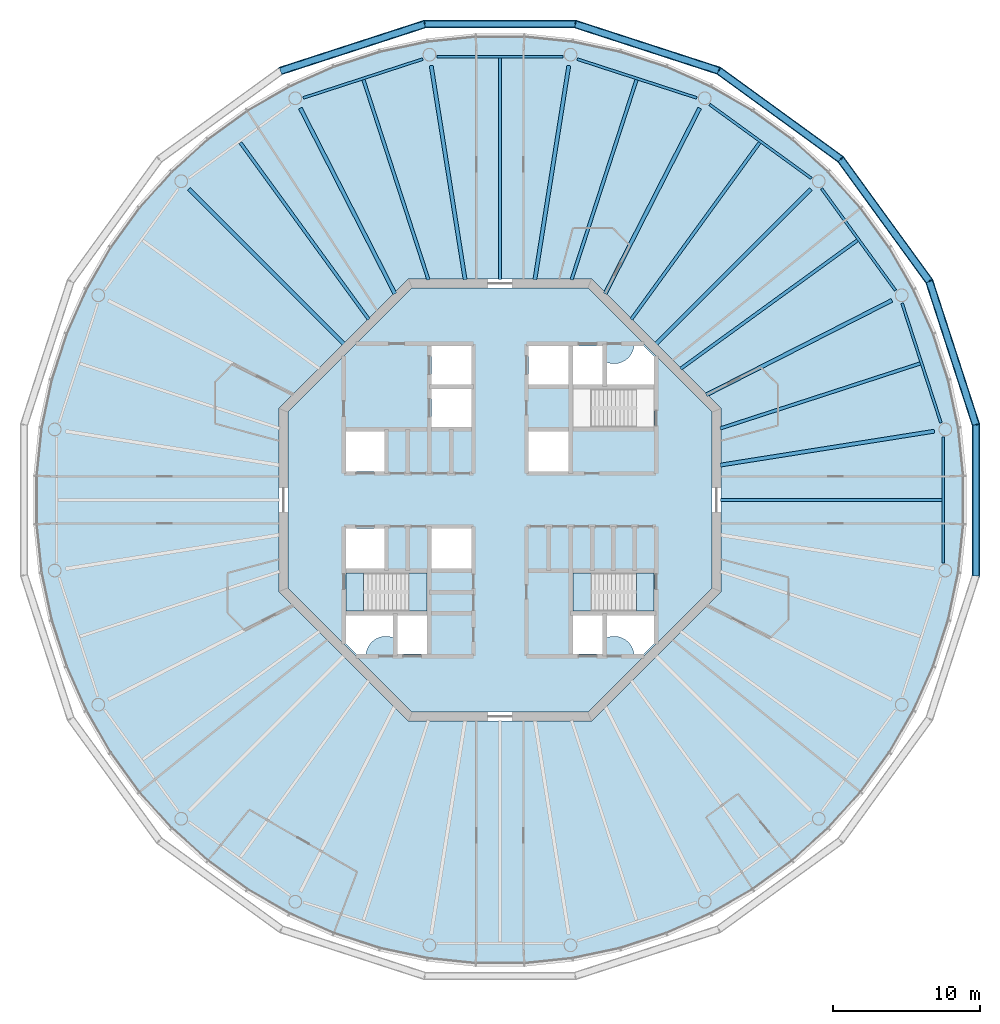
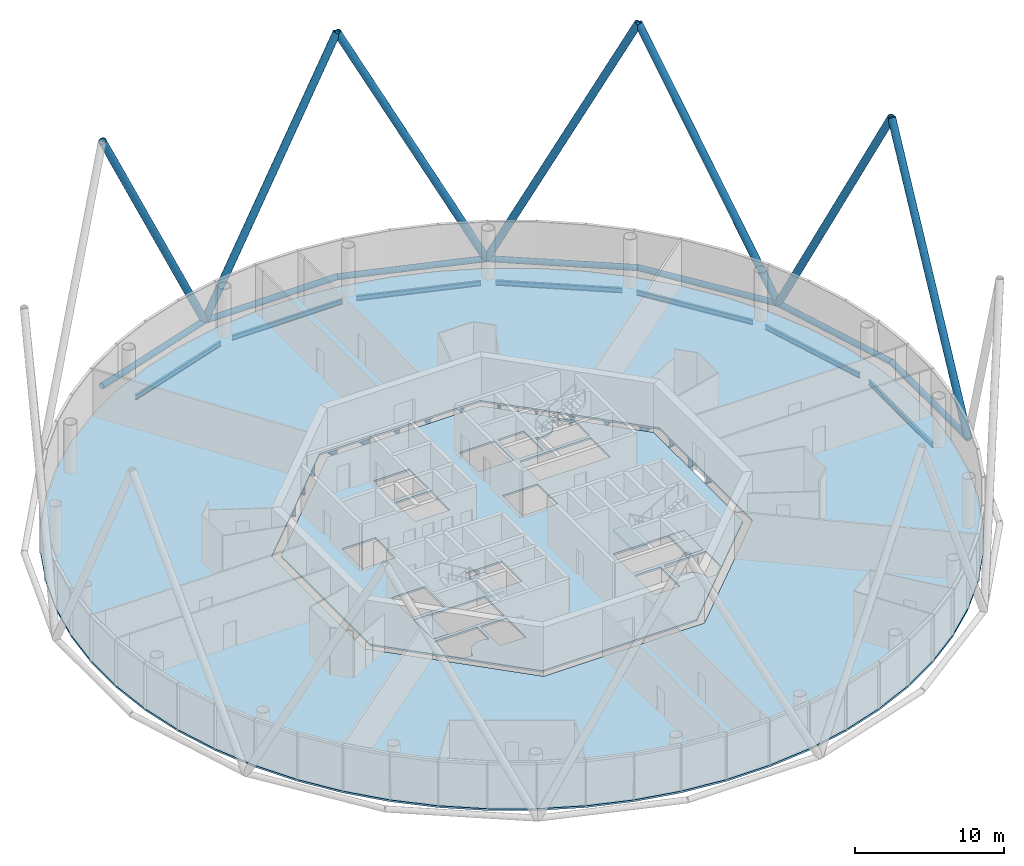
# One storey, part 2 of 13: 23 beams, 14 members, 6 slabs, 2 elements without a shape of their own.
"""IFC4 building model written with IfcOpenShell, lengths in metres."""

from ifc_helpers import new_model, si_unit, direction, frame, origin, origin_2d, place, context, subcontext, project, spatial, polyline, circle, hollow_circle, i_section, outline, extrude, material, layer, layer_set, material_profile, profile_set, type_object, element, aggregate, save


model = new_model("IFC4")

# Units and contexts
model_context = context("Model", 3, precision=1e-05, world=origin(), true_north=direction((0.0, 1.0)))
body_context = subcontext(model_context, "Body", "Model", "MODEL_VIEW")
ifc_project = project(units=[si_unit("LENGTHUNIT", "METRE"), si_unit("AREAUNIT", "SQUARE_METRE"), si_unit("VOLUMEUNIT", "CUBIC_METRE"), si_unit("PLANEANGLEUNIT", "RADIAN"), si_unit("MASSUNIT", "GRAM", prefix="KILO")], contexts=[model_context])

# Site, building, storey
site_placement = place(None, origin())
site = spatial("IfcSite", under=ifc_project, at=site_placement, CompositionType="ELEMENT")
building_placement = place(site_placement, origin())
building = spatial("IfcBuilding", under=site, at=building_placement, Name="Entoto Ring Tower", CompositionType="ELEMENT")
storey_placement = place(building_placement, frame((0.0, 0.0, 336.0)))
storey = spatial("IfcBuildingStorey", under=building, at=storey_placement, Name="L77", CompositionType="ELEMENT", Elevation=336.0)

# Members
ifc_material_1 = material(Name="Steel S355", Category="steel")
ifc_material_profile_1 = material_profile(ifc_material_1, hollow_circle(Radius=0.279541015625, WallThickness=0.031982421875, at=origin_2d()), Name="CHS 559 x 32")
ifc_material_2 = material(Name="Concrete C60/75", Category="concrete")
ifc_material_profile_2 = material_profile(ifc_material_2, circle(Radius=0.24755859375, at=origin_2d()), Name="Concrete C60/75 infill")
ifc_profile_set_1 = profile_set([ifc_material_profile_1, ifc_material_profile_2], Name="Steel S355")
member_type_1 = type_object("IfcMemberType", Name="Diagrid diagonal 559 x 32 concrete-filled tube", PredefinedType="BRACE", material=ifc_profile_set_1)
for number, where, z_axis, x_axis, name in (
    (1, (119.135986328125, 94.845458984375, 0.0), (0.140725857901, -0.433121348428, 0.890282051068), (0.95105896794, 0.309009448885, 0.0), "DG7A module 26 01"),
    (2, (119.135986328125, 94.845458984375, 0.0), (-0.2676922089, 0.368435420028, 0.890278733074), (-0.809008424404, -0.587797047665, 0.0), "DG7A module 26 02"),
    (3, (104.845458984375, 109.135986328125, 0.0), (0.368435420028, -0.2676922089, 0.890278733074), (0.587797047665, 0.809008424404, 0.0), "DG7A module 26 03"),
    (4, (104.845458984375, 109.135986328125, 0.0), (-0.433121348428, 0.140725857901, 0.890282051068), (-0.309009448885, -0.95105896794, 0.0), "DG7A module 26 04"),
    (5, (84.884521484375, 112.29736328125, 0.0), (0.455419317756, 0.0, 0.890277060816), (0.0, 1.0, 0.0), "DG7A module 26 05"),
    (6, (84.884521484375, 112.29736328125, 0.0), (-0.433121348428, -0.140725857901, 0.890282051068), (0.309009448885, -0.95105896794, 0.0), "DG7A module 26 06"),
    (7, (122.29736328125, 74.884521484375, 0.0), (0.0, 0.455419317756, 0.890277060816), (-1.0, 0.0, 0.0), "DG7A module 26 20"),
):
    element("IfcMember", number, at=place(storey_placement, frame(where, z_axis=z_axis, x_axis=x_axis)), inside=storey, type_object=member_type_1, Name=name, PredefinedType="BRACE", context=body_context, shape_type="SweptSolid", body=[
        extrude(hollow_circle(Radius=0.279541015625, WallThickness=0.031982421875, at=origin_2d()), origin(), (0.0, 0.0, 1.0), 22.46484375),
    ])
ifc_material_3 = material(Name="Steel S355", Category="steel")
ifc_material_profile_3 = material_profile(ifc_material_3, hollow_circle(Radius=0.228515625, WallThickness=0.02001953125, at=origin_2d()), Name="CHS 457 x 20")
ifc_material_4 = material(Name="Concrete C60/75", Category="concrete")
ifc_material_profile_4 = material_profile(ifc_material_4, circle(Radius=0.20849609375, at=origin_2d()), Name="Concrete C60/75 infill")
ifc_profile_set_2 = profile_set([ifc_material_profile_3, ifc_material_profile_4], Name="Steel S355")
member_type_2 = type_object("IfcMemberType", Name="Diagrid ring beam 457 x 20", PredefinedType="CHORD", material=ifc_profile_set_2)
for number, where, z_axis, x_axis, name in (
    (8, (119.1689453125, 94.800048828125, 0.0), (-0.587781465034, 0.809019745966, 0.0), (-0.809019745966, -0.587781465034, 0.0), "DR3 ring 25 01"),
    (9, (113.16796875, 103.08935546875, 0.0), (-0.809019745966, 0.587781465034, 0.0), (-0.587781465034, -0.809019745966, 0.0), "DR3 ring 25 02"),
):
    element("IfcMember", number, at=place(storey_placement, frame(where, z_axis=z_axis, x_axis=x_axis)), inside=storey, type_object=member_type_2, Name=name, PredefinedType="CHORD", context=body_context, shape_type="SweptSolid", body=[
        extrude(hollow_circle(Radius=0.228515625, WallThickness=0.02001953125, at=origin_2d()), origin(), (0.0, 0.0, 1.0), 10.34326171875),
    ])
member_1_placement = place(storey_placement, frame((104.89892578125, 109.11865234375, 0.0), z_axis=(-0.951061125206, 0.309002809244, 0.0), x_axis=(-0.309002809244, -0.951061125206, 0.0)))
element("IfcMember", 10, at=member_1_placement, inside=storey, type_object=member_type_2, Name="DR3 ring 25 03", PredefinedType="CHORD", context=body_context, shape_type="SweptSolid", body=[
    extrude(hollow_circle(Radius=0.228515625, WallThickness=0.02001953125, at=origin_2d()), origin(), (0.0, 0.0, 1.0), 10.343017578125),
])
member_2_placement = place(storey_placement, frame((95.171630859375, 112.29736328125, 0.0), z_axis=(-1.0, 0.0, 0.0), x_axis=(0.0, -1.0, 0.0)))
element("IfcMember", 11, at=member_2_placement, inside=storey, type_object=member_type_2, Name="DR3 ring 25 04", PredefinedType="CHORD", context=body_context, shape_type="SweptSolid", body=[
    extrude(hollow_circle(Radius=0.228515625, WallThickness=0.02001953125, at=origin_2d()), origin(), (0.0, 0.0, 1.0), 10.34326171875),
])
member_3_placement = place(storey_placement, frame((84.93798828125, 112.314697265625, 0.0), z_axis=(-0.951061125206, -0.309002809244, 0.0), x_axis=(0.309002809244, -0.951061125206, 0.0)))
element("IfcMember", 12, at=member_3_placement, inside=storey, type_object=member_type_2, Name="DR3 ring 25 05", PredefinedType="CHORD", context=body_context, shape_type="SweptSolid", body=[
    extrude(hollow_circle(Radius=0.228515625, WallThickness=0.02001953125, at=origin_2d()), origin(), (0.0, 0.0, 1.0), 10.343017578125),
])
member_4_placement = place(storey_placement, frame((122.29736328125, 74.828369140625, 0.0), z_axis=(0.0, 1.0, 0.0), x_axis=(-1.0, 0.0, 0.0)))
element("IfcMember", 13, at=member_4_placement, inside=storey, type_object=member_type_2, Name="DR3 ring 25 19", PredefinedType="CHORD", context=body_context, shape_type="SweptSolid", body=[
    extrude(hollow_circle(Radius=0.228515625, WallThickness=0.02001953125, at=origin_2d()), origin(), (0.0, 0.0, 1.0), 10.34326171875),
])
member_5_placement = place(storey_placement, frame((122.314697265625, 85.06201171875, 0.0), z_axis=(-0.309002809244, 0.951061125206, 0.0), x_axis=(-0.951061125206, -0.309002809244, 0.0)))
element("IfcMember", 14, at=member_5_placement, inside=storey, type_object=member_type_2, Name="DR3 ring 25 20", PredefinedType="CHORD", context=body_context, shape_type="SweptSolid", body=[
    extrude(hollow_circle(Radius=0.228515625, WallThickness=0.02001953125, at=origin_2d()), origin(), (0.0, 0.0, 1.0), 10.343017578125),
])

# Beams
ifc_material_5 = material(Name="Steel S355", Category="steel")
ifc_material_profile_5 = material_profile(ifc_material_5, i_section(OverallWidth=0.179931640625, OverallDepth=0.39990234375, WebThickness=0.008544921875, FlangeThickness=0.013427734375, FilletRadius=0.02099609375, at=origin_2d()), Name="IPE 400")
ifc_profile_set_3 = profile_set([ifc_material_profile_5], Name="Steel S355")
beam_type_1 = type_object("IfcBeamType", Name="Edge beam IPE 400", PredefinedType="SPANDREL", material=ifc_profile_set_3)
beam_1_placement = place(storey_placement, frame((119.925537109375, 85.23681640625, -0.35009765625), z_axis=(-0.309000682164, 0.951061816299, 0.0), x_axis=(-0.951061816299, -0.309000682164, 0.0)))
element("IfcBeam", 15, at=beam_1_placement, inside=storey, type_object=beam_type_1, Name="Edge beam L77 01", PredefinedType="SPANDREL", context=body_context, shape_type="SweptSolid", body=[
    extrude(i_section(OverallWidth=0.179931640625, OverallDepth=0.39990234375, WebThickness=0.008544921875, FlangeThickness=0.013427734375, FilletRadius=0.02099609375, at=origin_2d()), origin(), (0.0, 0.0, 1.0), 8.533935546875),
])
for number, where, z_axis, x_axis, name in (
    (16, (116.842529296875, 94.22802734375, -0.35009765625), (-0.587768472014, 0.809029185695, 0.0), (-0.809029185695, -0.587768472014, 0.0), "Edge beam L77 02"),
    (17, (111.132080078125, 101.82666015625, -0.35009765625), (-0.809029185695, 0.587768472014, 0.0), (-0.587768472014, -0.809029185695, 0.0), "Edge beam L77 03"),
):
    element("IfcBeam", number, at=place(storey_placement, frame(where, z_axis=z_axis, x_axis=x_axis)), inside=storey, type_object=beam_type_1, Name=name, PredefinedType="SPANDREL", context=body_context, shape_type="SweptSolid", body=[
        extrude(i_section(OverallWidth=0.179931640625, OverallDepth=0.39990234375, WebThickness=0.008544921875, FlangeThickness=0.013427734375, FilletRadius=0.02099609375, at=origin_2d()), origin(), (0.0, 0.0, 1.0), 8.53369140625),
    ])
beam_2_placement = place(storey_placement, frame((103.35302734375, 107.28857421875, -0.35009765625), z_axis=(-0.951061816299, 0.309000682164, 0.0), x_axis=(-0.309000682164, -0.951061816299, 0.0)))
element("IfcBeam", 18, at=beam_2_placement, inside=storey, type_object=beam_type_1, Name="Edge beam L77 04", PredefinedType="SPANDREL", context=body_context, shape_type="SweptSolid", body=[
    extrude(i_section(OverallWidth=0.179931640625, OverallDepth=0.39990234375, WebThickness=0.008544921875, FlangeThickness=0.013427734375, FilletRadius=0.02099609375, at=origin_2d()), origin(), (0.0, 0.0, 1.0), 8.533935546875),
])
beam_3_placement = place(storey_placement, frame((94.266845703125, 110.079345703125, -0.35009765625), z_axis=(-1.0, 0.0, 0.0), x_axis=(0.0, -1.0, 0.0)))
element("IfcBeam", 19, at=beam_3_placement, inside=storey, type_object=beam_type_1, Name="Edge beam L77 05", PredefinedType="SPANDREL", context=body_context, shape_type="SweptSolid", body=[
    extrude(i_section(OverallWidth=0.179931640625, OverallDepth=0.39990234375, WebThickness=0.008544921875, FlangeThickness=0.013427734375, FilletRadius=0.02099609375, at=origin_2d()), origin(), (0.0, 0.0, 1.0), 8.53369140625),
])
beam_4_placement = place(storey_placement, frame((84.76318359375, 109.925537109375, -0.35009765625), z_axis=(-0.951061816299, -0.309000682164, 0.0), x_axis=(0.309000682164, -0.951061816299, 0.0)))
element("IfcBeam", 20, at=beam_4_placement, inside=storey, type_object=beam_type_1, Name="Edge beam L77 06", PredefinedType="SPANDREL", context=body_context, shape_type="SweptSolid", body=[
    extrude(i_section(OverallWidth=0.179931640625, OverallDepth=0.39990234375, WebThickness=0.008544921875, FlangeThickness=0.013427734375, FilletRadius=0.02099609375, at=origin_2d()), origin(), (0.0, 0.0, 1.0), 8.533935546875),
])
beam_5_placement = place(storey_placement, frame((120.079345703125, 75.733154296875, -0.35009765625), z_axis=(0.0, 1.0, 0.0), x_axis=(-1.0, 0.0, 0.0)))
element("IfcBeam", 21, at=beam_5_placement, inside=storey, type_object=beam_type_1, Name="Edge beam L77 20", PredefinedType="SPANDREL", context=body_context, shape_type="SweptSolid", body=[
    extrude(i_section(OverallWidth=0.179931640625, OverallDepth=0.39990234375, WebThickness=0.008544921875, FlangeThickness=0.013427734375, FilletRadius=0.02099609375, at=origin_2d()), origin(), (0.0, 0.0, 1.0), 8.53369140625),
])
ifc_material_6 = material(Name="Steel S355", Category="steel")
ifc_material_profile_6 = material_profile(ifc_material_6, i_section(OverallWidth=0.262939453125, OverallDepth=0.7529296875, WebThickness=0.011474609375, FlangeThickness=0.01708984375, FilletRadius=0.01708984375, at=origin_2d()), Name="IPE 750 x 137")
ifc_profile_set_4 = profile_set([ifc_material_profile_6], Name="Steel S355")
beam_type_2 = type_object("IfcBeamType", Name="Primary floor beam IPE 750 x 137", PredefinedType="BEAM", material=ifc_profile_set_4)
beam_6_placement = place(storey_placement, frame((104.959716796875, 82.369384765625, -0.526611328125), z_axis=(0.987687460174, 0.156440023699, 0.0), x_axis=(-0.156440023699, 0.987687460174, 0.0)))
element("IfcBeam", 22, at=beam_6_placement, inside=storey, type_object=beam_type_2, Name="Primary L77 R01", PredefinedType="BEAM", context=body_context, shape_type="SweptSolid", body=[
    extrude(i_section(OverallWidth=0.262939453125, OverallDepth=0.7529296875, WebThickness=0.011474609375, FlangeThickness=0.01708984375, FilletRadius=0.01708984375, at=origin_2d()), origin(), (0.0, 0.0, 1.0), 14.7041015625),
])
beam_7_placement = place(storey_placement, frame((103.9970703125, 87.1318359375, -0.526611328125), z_axis=(0.891003656616, 0.453996127623, 0.0), x_axis=(-0.453996127623, 0.891003656616, 0.0)))
element("IfcBeam", 23, at=beam_7_placement, inside=storey, type_object=beam_type_2, Name="Primary L77 R02", PredefinedType="BEAM", context=body_context, shape_type="SweptSolid", body=[
    extrude(i_section(OverallWidth=0.262939453125, OverallDepth=0.7529296875, WebThickness=0.011474609375, FlangeThickness=0.01708984375, FilletRadius=0.01708984375, at=origin_2d()), origin(), (0.0, 0.0, 1.0), 14.140869140625),
])
beam_8_placement = place(storey_placement, frame((100.592529296875, 90.592529296875, -0.526611328125), z_axis=(0.707106781187, 0.707106781187, 0.0), x_axis=(-0.707106781187, 0.707106781187, 0.0)))
element("IfcBeam", 24, at=beam_8_placement, inside=storey, type_object=beam_type_2, Name="Primary L77 R03", PredefinedType="BEAM", context=body_context, shape_type="SweptSolid", body=[
    extrude(i_section(OverallWidth=0.262939453125, OverallDepth=0.7529296875, WebThickness=0.011474609375, FlangeThickness=0.01708984375, FilletRadius=0.01708984375, at=origin_2d()), origin(), (0.0, 0.0, 1.0), 14.869873046875),
])
beam_9_placement = place(storey_placement, frame((97.1318359375, 93.9970703125, -0.526611328125), z_axis=(0.453996127623, 0.891003656616, 0.0), x_axis=(-0.891003656616, 0.453996127623, 0.0)))
element("IfcBeam", 25, at=beam_9_placement, inside=storey, type_object=beam_type_2, Name="Primary L77 R04", PredefinedType="BEAM", context=body_context, shape_type="SweptSolid", body=[
    extrude(i_section(OverallWidth=0.262939453125, OverallDepth=0.7529296875, WebThickness=0.011474609375, FlangeThickness=0.01708984375, FilletRadius=0.01708984375, at=origin_2d()), origin(), (0.0, 0.0, 1.0), 14.140869140625),
])
for number, where, z_axis, x_axis, name in (
    (26, (92.369384765625, 94.959716796875, -0.526611328125), (0.156440023699, 0.987687460174, 0.0), (-0.987687460174, 0.156440023699, 0.0), "Primary L77 R05"),
    (27, (87.630615234375, 94.959716796875, -0.526611328125), (-0.156440023699, 0.987687460174, 0.0), (-0.987687460174, -0.156440023699, 0.0), "Primary L77 R06"),
):
    element("IfcBeam", number, at=place(storey_placement, frame(where, z_axis=z_axis, x_axis=x_axis)), inside=storey, type_object=beam_type_2, Name=name, PredefinedType="BEAM", context=body_context, shape_type="SweptSolid", body=[
        extrude(i_section(OverallWidth=0.262939453125, OverallDepth=0.7529296875, WebThickness=0.011474609375, FlangeThickness=0.01708984375, FilletRadius=0.01708984375, at=origin_2d()), origin(), (0.0, 0.0, 1.0), 14.7041015625),
    ])
beam_10_placement = place(storey_placement, frame((82.8681640625, 93.9970703125, -0.526611328125), z_axis=(-0.453996127623, 0.891003656616, 0.0), x_axis=(-0.891003656616, -0.453996127623, 0.0)))
element("IfcBeam", 28, at=beam_10_placement, inside=storey, type_object=beam_type_2, Name="Primary L77 R07", PredefinedType="BEAM", context=body_context, shape_type="SweptSolid", body=[
    extrude(i_section(OverallWidth=0.262939453125, OverallDepth=0.7529296875, WebThickness=0.011474609375, FlangeThickness=0.01708984375, FilletRadius=0.01708984375, at=origin_2d()), origin(), (0.0, 0.0, 1.0), 14.140869140625),
])
beam_11_placement = place(storey_placement, frame((79.407470703125, 90.592529296875, -0.526611328125), z_axis=(-0.707106781187, 0.707106781187, 0.0), x_axis=(-0.707106781187, -0.707106781187, 0.0)))
element("IfcBeam", 29, at=beam_11_placement, inside=storey, type_object=beam_type_2, Name="Primary L77 R08", PredefinedType="BEAM", context=body_context, shape_type="SweptSolid", body=[
    extrude(i_section(OverallWidth=0.262939453125, OverallDepth=0.7529296875, WebThickness=0.011474609375, FlangeThickness=0.01708984375, FilletRadius=0.01708984375, at=origin_2d()), origin(), (0.0, 0.0, 1.0), 14.869873046875),
])
ifc_material_7 = material(Name="Steel S355", Category="steel")
ifc_material_profile_7 = material_profile(ifc_material_7, i_section(OverallWidth=0.219970703125, OverallDepth=0.60009765625, WebThickness=0.011962890625, FlangeThickness=0.01904296875, FilletRadius=0.02392578125, at=origin_2d()), Name="IPE 600")
ifc_profile_set_5 = profile_set([ifc_material_profile_7], Name="Steel S355")
beam_type_3 = type_object("IfcBeamType", Name="Secondary floor beam IPE 600", PredefinedType="JOIST", material=ifc_profile_set_5)
beam_12_placement = place(storey_placement, frame((104.947021484375, 84.856689453125, -0.449951171875), z_axis=(0.951060839629, 0.309003688205, 0.0), x_axis=(-0.309003688205, 0.951060839629, 0.0)))
element("IfcBeam", 30, at=beam_12_placement, inside=storey, type_object=beam_type_3, Name="Secondary beam L77 01", PredefinedType="JOIST", context=body_context, shape_type="SweptSolid", body=[
    extrude(i_section(OverallWidth=0.219970703125, OverallDepth=0.60009765625, WebThickness=0.011962890625, FlangeThickness=0.01904296875, FilletRadius=0.02392578125, at=origin_2d()), origin(), (0.0, 0.0, 1.0), 14.27294921875),
])
for number, where, z_axis, x_axis, name in (
    (31, (102.25634765625, 88.90478515625, -0.449951171875), (0.809017012151, 0.587785227826, 0.0), (-0.587785227826, 0.809017012151, 0.0), "Secondary beam L77 02"),
    (32, (98.90478515625, 92.25634765625, -0.449951171875), (0.587785227826, 0.809017012151, 0.0), (-0.809017012151, 0.587785227826, 0.0), "Secondary beam L77 03"),
):
    element("IfcBeam", number, at=place(storey_placement, frame(where, z_axis=z_axis, x_axis=x_axis)), inside=storey, type_object=beam_type_3, Name=name, PredefinedType="JOIST", context=body_context, shape_type="SweptSolid", body=[
        extrude(i_section(OverallWidth=0.219970703125, OverallDepth=0.60009765625, WebThickness=0.011962890625, FlangeThickness=0.01904296875, FilletRadius=0.02392578125, at=origin_2d()), origin(), (0.0, 0.0, 1.0), 14.83935546875),
    ])
beam_13_placement = place(storey_placement, frame((94.856689453125, 94.947021484375, -0.449951171875), z_axis=(0.309003688205, 0.951060839629, 0.0), x_axis=(-0.951060839629, 0.309003688205, 0.0)))
element("IfcBeam", 33, at=beam_13_placement, inside=storey, type_object=beam_type_3, Name="Secondary beam L77 04", PredefinedType="JOIST", context=body_context, shape_type="SweptSolid", body=[
    extrude(i_section(OverallWidth=0.219970703125, OverallDepth=0.60009765625, WebThickness=0.011962890625, FlangeThickness=0.01904296875, FilletRadius=0.02392578125, at=origin_2d()), origin(), (0.0, 0.0, 1.0), 14.27294921875),
])
beam_14_placement = place(storey_placement, frame((90.0, 94.97998046875, -0.449951171875), z_axis=(0.0, 1.0, 0.0), x_axis=(-1.0, 0.0, 0.0)))
element("IfcBeam", 34, at=beam_14_placement, inside=storey, type_object=beam_type_3, Name="Secondary beam L77 05", PredefinedType="JOIST", context=body_context, shape_type="SweptSolid", body=[
    extrude(i_section(OverallWidth=0.219970703125, OverallDepth=0.60009765625, WebThickness=0.011962890625, FlangeThickness=0.01904296875, FilletRadius=0.02392578125, at=origin_2d()), origin(), (0.0, 0.0, 1.0), 15.00927734375),
])
beam_15_placement = place(storey_placement, frame((85.143310546875, 94.947021484375, -0.449951171875), z_axis=(-0.309003688205, 0.951060839629, 0.0), x_axis=(-0.951060839629, -0.309003688205, 0.0)))
element("IfcBeam", 35, at=beam_15_placement, inside=storey, type_object=beam_type_3, Name="Secondary beam L77 06", PredefinedType="JOIST", context=body_context, shape_type="SweptSolid", body=[
    extrude(i_section(OverallWidth=0.219970703125, OverallDepth=0.60009765625, WebThickness=0.011962890625, FlangeThickness=0.01904296875, FilletRadius=0.02392578125, at=origin_2d()), origin(), (0.0, 0.0, 1.0), 14.27294921875),
])
beam_16_placement = place(storey_placement, frame((81.09521484375, 92.25634765625, -0.449951171875), z_axis=(-0.587785227826, 0.809017012151, 0.0), x_axis=(-0.809017012151, -0.587785227826, 0.0)))
element("IfcBeam", 36, at=beam_16_placement, inside=storey, type_object=beam_type_3, Name="Secondary beam L77 07", PredefinedType="JOIST", context=body_context, shape_type="SweptSolid", body=[
    extrude(i_section(OverallWidth=0.219970703125, OverallDepth=0.60009765625, WebThickness=0.011962890625, FlangeThickness=0.01904296875, FilletRadius=0.02392578125, at=origin_2d()), origin(), (0.0, 0.0, 1.0), 14.83935546875),
])
beam_17_placement = place(storey_placement, frame((104.97998046875, 80.0, -0.449951171875), z_axis=(1.0, 0.0, 0.0), x_axis=(0.0, 1.0, 0.0)))
element("IfcBeam", 37, at=beam_17_placement, inside=storey, type_object=beam_type_3, Name="Secondary beam L77 20", PredefinedType="JOIST", context=body_context, shape_type="SweptSolid", body=[
    extrude(i_section(OverallWidth=0.219970703125, OverallDepth=0.60009765625, WebThickness=0.011962890625, FlangeThickness=0.01904296875, FilletRadius=0.02392578125, at=origin_2d()), origin(), (0.0, 0.0, 1.0), 15.00927734375),
])

# Slabs
ifc_material_8 = material(Name="Concrete C30/37", Category="concrete")
ifc_layer_1 = layer(ifc_material_8, 0.14990234375)
ifc_layer_set_1 = layer_set([ifc_layer_1], Name="Concrete C30/37")
slab_type_1 = type_object("IfcSlabType", Name="Composite floor slab 150 mm", PredefinedType="FLOOR", material=ifc_layer_set_1)
slab_1_placement = place(storey_placement, frame((0.0, 0.0, -0.14990234375)))
element("IfcSlab", 38, at=slab_1_placement, inside=storey, type_object=slab_type_1, Name="Floor slab L77", PredefinedType="FLOOR", context=body_context, shape_type="SweptSolid", body=[
    extrude(outline(polyline([(121.2109375, 84.943359375), (120.523193359375, 88.1787109375), (119.501220703125, 91.324462890625), (118.15576171875, 94.34619140625), (116.501953125, 97.210693359375), (114.557861328125, 99.886474609375), (112.344482421875, 102.344482421875), (109.886474609375, 104.557861328125), (107.210693359375, 106.501953125), (104.34619140625, 108.15576171875), (101.324462890625, 109.501220703125), (98.1787109375, 110.523193359375), (94.943359375, 111.2109375), (91.65380859375, 111.556640625), (88.34619140625, 111.556640625), (85.056640625, 111.2109375), (81.8212890625, 110.523193359375), (78.675537109375, 109.501220703125), (75.65380859375, 108.15576171875), (72.789306640625, 106.501953125), (70.113525390625, 104.557861328125), (67.655517578125, 102.344482421875), (65.442138671875, 99.886474609375), (63.498046875, 97.210693359375), (61.84423828125, 94.34619140625), (60.498779296875, 91.324462890625), (59.476806640625, 88.1787109375), (58.7890625, 84.943359375), (58.443359375, 81.65380859375), (58.443359375, 78.34619140625), (58.7890625, 75.056640625), (59.476806640625, 71.8212890625), (60.498779296875, 68.675537109375), (61.84423828125, 65.65380859375), (63.498046875, 62.789306640625), (65.442138671875, 60.113525390625), (67.655517578125, 57.655517578125), (70.113525390625, 55.442138671875), (72.789306640625, 53.498046875), (75.65380859375, 51.84423828125), (78.675537109375, 50.498779296875), (81.8212890625, 49.476806640625), (85.056640625, 48.7890625), (88.34619140625, 48.443359375), (91.65380859375, 48.443359375), (94.943359375, 48.7890625), (98.1787109375, 49.476806640625), (101.324462890625, 50.498779296875), (104.34619140625, 51.84423828125), (107.210693359375, 53.498046875), (109.886474609375, 55.442138671875), (112.344482421875, 57.655517578125), (114.557861328125, 60.113525390625), (116.501953125, 62.789306640625), (118.15576171875, 65.65380859375), (119.501220703125, 68.675537109375), (120.523193359375, 71.8212890625), (121.2109375, 75.056640625), (121.556640625, 78.34619140625), (121.556640625, 81.65380859375), (121.2109375, 84.943359375)]), holes=[polyline([(105.0, 73.786865234375), (105.0, 86.213134765625), (96.213134765625, 95.0), (83.786865234375, 95.0), (75.0, 86.213134765625), (75.0, 73.786865234375), (83.786865234375, 65.0), (96.213134765625, 65.0), (105.0, 73.786865234375)])]), origin(), (0.0, 0.0, 1.0), 0.14990234375),
])
ifc_material_9 = material(Name="Concrete C40/50", Category="concrete")
ifc_layer_2 = layer(ifc_material_9, 0.14990234375)
ifc_layer_set_2 = layer_set([ifc_layer_2], Name="Concrete C40/50")
slab_type_2 = type_object("IfcSlabType", Name="Core floor slab 150 mm reinforced concrete C40/50", PredefinedType="FLOOR", material=ifc_layer_set_2)
slab_2_placement = place(storey_placement, frame((0.0, 0.0, -0.14990234375)))
element("IfcSlab", 39, at=slab_2_placement, inside=storey, type_object=slab_type_2, Name="Core floor L77", PredefinedType="FLOOR", context=body_context, shape_type="SweptSolid", body=[
    extrude(outline(polyline([(104.39990234375, 74.035400390625), (104.39990234375, 85.964599609375), (95.964599609375, 94.39990234375), (84.035400390625, 94.39990234375), (75.60009765625, 85.964599609375), (75.60009765625, 74.035400390625), (84.035400390625, 65.60009765625), (95.964599609375, 65.60009765625), (104.39990234375, 74.035400390625)]), holes=[polyline([(100.449951171875, 84.949951171875), (100.449951171875, 87.550048828125), (94.949951171875, 87.550048828125), (94.949951171875, 84.949951171875), (100.449951171875, 84.949951171875)]), polyline([(85.050048828125, 72.449951171875), (85.050048828125, 75.050048828125), (79.550048828125, 75.050048828125), (79.550048828125, 72.449951171875), (85.050048828125, 72.449951171875)]), polyline([(100.449951171875, 72.449951171875), (100.449951171875, 75.050048828125), (94.949951171875, 75.050048828125), (94.949951171875, 72.449951171875), (100.449951171875, 72.449951171875)]), polyline([(94.949951171875, 90.449951171875), (94.949951171875, 87.85009765625), (96.949951171875, 87.85009765625), (96.949951171875, 90.449951171875), (94.949951171875, 90.449951171875)]), polyline([(94.949951171875, 72.14990234375), (94.949951171875, 69.550048828125), (96.949951171875, 69.550048828125), (96.949951171875, 72.14990234375), (94.949951171875, 72.14990234375)]), polyline([(83.050048828125, 72.14990234375), (83.050048828125, 69.550048828125), (85.050048828125, 69.550048828125), (85.050048828125, 72.14990234375), (83.050048828125, 72.14990234375)]), polyline([(79.550048828125, 81.949951171875), (82.14990234375, 81.949951171875), (82.14990234375, 84.64990234375), (79.550048828125, 84.64990234375), (79.550048828125, 81.949951171875)]), polyline([(79.550048828125, 75.35009765625), (82.14990234375, 75.35009765625), (82.14990234375, 78.050048828125), (79.550048828125, 78.050048828125), (79.550048828125, 75.35009765625)]), polyline([(91.949951171875, 87.85009765625), (94.64990234375, 87.85009765625), (94.64990234375, 90.449951171875), (91.949951171875, 90.449951171875), (91.949951171875, 87.85009765625)]), polyline([(91.949951171875, 81.949951171875), (94.64990234375, 81.949951171875), (94.64990234375, 84.64990234375), (91.949951171875, 84.64990234375), (91.949951171875, 81.949951171875)]), polyline([(85.35009765625, 75.35009765625), (88.050048828125, 75.35009765625), (88.050048828125, 78.050048828125), (85.35009765625, 78.050048828125), (85.35009765625, 75.35009765625)]), polyline([(85.35009765625, 84.949951171875), (88.050048828125, 84.949951171875), (88.050048828125, 87.550048828125), (85.35009765625, 87.550048828125), (85.35009765625, 84.949951171875)]), polyline([(85.35009765625, 87.85009765625), (88.050048828125, 87.85009765625), (88.050048828125, 90.449951171875), (85.35009765625, 90.449951171875), (85.35009765625, 87.85009765625)]), polyline([(97.199951171875, 89.368408203125), (97.199951171875, 87.800048828125), (100.5, 87.800048828125), (100.5, 89.723388671875), (99.723388671875, 90.5), (99.09521484375, 90.5), (99.093505859375, 90.4677734375), (99.07421875, 90.336669921875), (99.0419921875, 90.2080078125), (98.997314453125, 90.08349609375), (98.940673828125, 89.963623046875), (98.87255859375, 89.85009765625), (98.793701171875, 89.74365234375), (98.70458984375, 89.6455078125), (98.6064453125, 89.556396484375), (98.5, 89.4775390625), (98.386474609375, 89.409423828125), (98.2666015625, 89.352783203125), (98.141845703125, 89.30810546875), (98.013427734375, 89.27587890625), (97.88232421875, 89.256591796875), (97.75, 89.25), (97.61767578125, 89.256591796875), (97.486572265625, 89.27587890625), (97.358154296875, 89.30810546875), (97.2333984375, 89.352783203125), (97.199951171875, 89.368408203125)]), polyline([(80.276611328125, 69.5), (80.90478515625, 69.5), (80.906494140625, 69.5322265625), (80.92578125, 69.663330078125), (80.9580078125, 69.7919921875), (81.002685546875, 69.91650390625), (81.059326171875, 70.036376953125), (81.12744140625, 70.14990234375), (81.206298828125, 70.25634765625), (81.29541015625, 70.3544921875), (81.3935546875, 70.443603515625), (81.5, 70.5224609375), (81.613525390625, 70.590576171875), (81.7333984375, 70.647216796875), (81.858154296875, 70.69189453125), (81.986572265625, 70.72412109375), (82.11767578125, 70.743408203125), (82.25, 70.75), (82.38232421875, 70.743408203125), (82.513427734375, 70.72412109375), (82.641845703125, 70.69189453125), (82.7666015625, 70.647216796875), (82.800048828125, 70.631591796875), (82.800048828125, 72.199951171875), (79.5, 72.199951171875), (79.5, 70.276611328125), (80.276611328125, 69.5)]), polyline([(99.09521484375, 69.5), (99.723388671875, 69.5), (100.5, 70.276611328125), (100.5, 72.199951171875), (97.199951171875, 72.199951171875), (97.199951171875, 70.631591796875), (97.2333984375, 70.647216796875), (97.358154296875, 70.69189453125), (97.486572265625, 70.72412109375), (97.61767578125, 70.743408203125), (97.75, 70.75), (97.88232421875, 70.743408203125), (98.013427734375, 70.72412109375), (98.141845703125, 70.69189453125), (98.2666015625, 70.647216796875), (98.386474609375, 70.590576171875), (98.5, 70.5224609375), (98.6064453125, 70.443603515625), (98.70458984375, 70.3544921875), (98.793701171875, 70.25634765625), (98.87255859375, 70.14990234375), (98.940673828125, 70.036376953125), (98.997314453125, 69.91650390625), (99.0419921875, 69.7919921875), (99.07421875, 69.663330078125), (99.093505859375, 69.5322265625), (99.09521484375, 69.5)])]), origin(), (0.0, 0.0, 1.0), 0.14990234375),
])

# Stair, slabs
ifc_material_10 = material(Name="Concrete C40/50", Category="concrete")
stair_type = type_object("IfcStairType", Name="Exit stair 1200 mm dog-leg reinforced concrete", PredefinedType="HALF_TURN_STAIR", material=ifc_material_10)
stair_1_placement = place(storey_placement, origin())
stair_1 = element("IfcStair", 40, at=stair_1_placement, inside=storey, type_object=stair_type, Name="Exit stair 2", PredefinedType="HALF_TURN_STAIR")
ifc_material_11 = material(Name="Concrete C40/50", Category="concrete")
ifc_layer_3 = layer(ifc_material_11, 0.199951171875)
ifc_layer_set_3 = layer_set([ifc_layer_3], Name="Concrete C40/50")
slab_type_3 = type_object("IfcSlabType", Name="Stair landing 200 mm reinforced concrete", PredefinedType="LANDING", material=ifc_layer_set_3)
slab_3_placement = place(storey_placement, frame((0.0, 0.0, -0.199951171875)))
slab_3 = element("IfcSlab", 41, at=slab_3_placement, type_object=slab_type_3, Name="ST2 landing 1", PredefinedType="LANDING", context=body_context, shape_type="SweptSolid", body=[
    extrude(outline(polyline([(80.75, 72.449951171875), (80.75, 75.050048828125), (79.550048828125, 75.050048828125), (79.550048828125, 72.449951171875), (80.75, 72.449951171875)])), origin(), (0.0, 0.0, 1.0), 0.199951171875),
])
slab_4_placement = place(storey_placement, frame((0.0, 0.0, 1.800048828125)))
slab_4 = element("IfcSlab", 42, at=slab_4_placement, type_object=slab_type_3, Name="ST2 landing 2", PredefinedType="LANDING", context=body_context, shape_type="SweptSolid", body=[
    extrude(outline(polyline([(83.830078125, 72.449951171875), (85.050048828125, 72.449951171875), (85.050048828125, 75.050048828125), (83.830078125, 75.050048828125), (83.830078125, 72.449951171875)])), origin(), (0.0, 0.0, 1.0), 0.199951171875),
])
aggregate(stair_1, [slab_3, slab_4])

stair_2_placement = place(storey_placement, origin())
stair_2 = element("IfcStair", 43, at=stair_2_placement, inside=storey, type_object=stair_type, Name="Exit stair 3", PredefinedType="HALF_TURN_STAIR")
slab_5_placement = place(storey_placement, frame((0.0, 0.0, -0.199951171875)))
slab_5 = element("IfcSlab", 44, at=slab_5_placement, type_object=slab_type_3, Name="ST3 landing 1", PredefinedType="LANDING", context=body_context, shape_type="SweptSolid", body=[
    extrude(outline(polyline([(100.449951171875, 72.449951171875), (100.449951171875, 75.050048828125), (99.25, 75.050048828125), (99.25, 72.449951171875), (100.449951171875, 72.449951171875)])), origin(), (0.0, 0.0, 1.0), 0.199951171875),
])
slab_6_placement = place(storey_placement, frame((0.0, 0.0, 1.800048828125)))
slab_6 = element("IfcSlab", 45, at=slab_6_placement, type_object=slab_type_3, Name="ST3 landing 2", PredefinedType="LANDING", context=body_context, shape_type="SweptSolid", body=[
    extrude(outline(polyline([(94.949951171875, 72.449951171875), (96.169921875, 72.449951171875), (96.169921875, 75.050048828125), (94.949951171875, 75.050048828125), (94.949951171875, 72.449951171875)])), origin(), (0.0, 0.0, 1.0), 0.199951171875),
])
aggregate(stair_2, [slab_5, slab_6])

save(model, "model.ifc")
